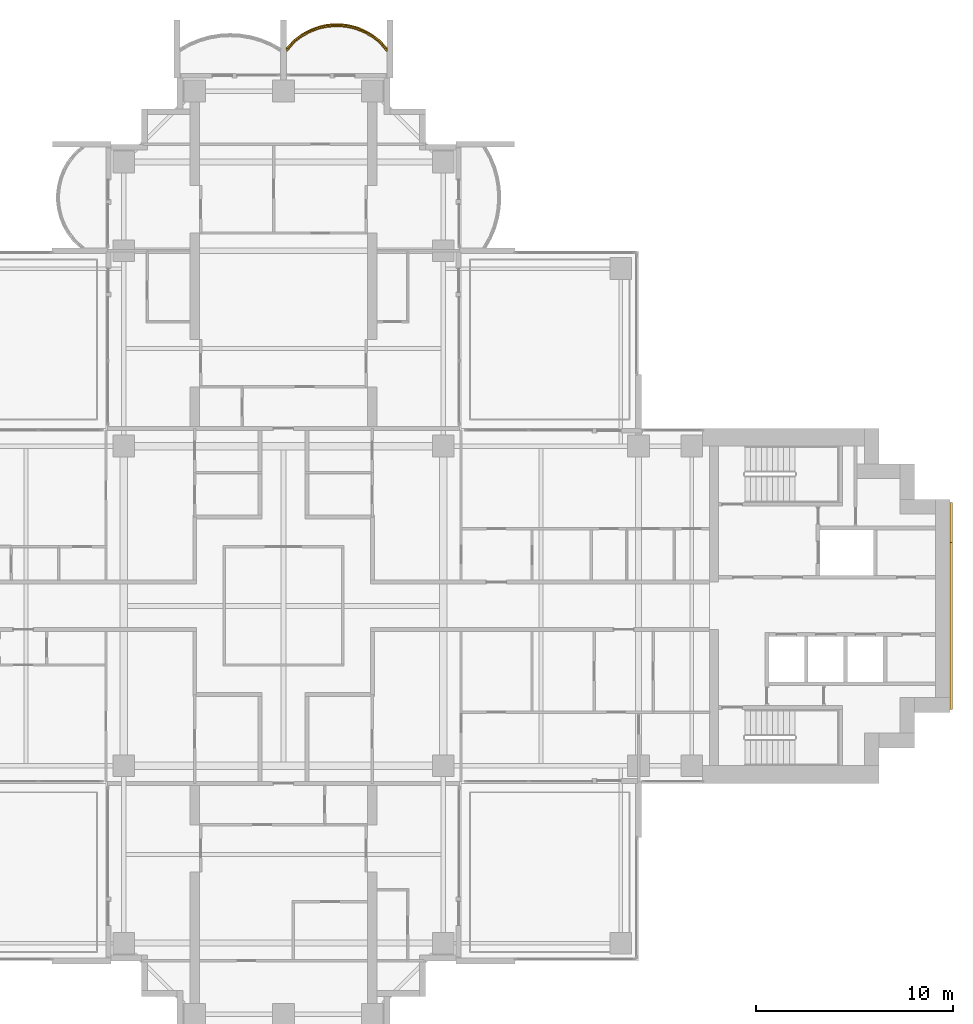
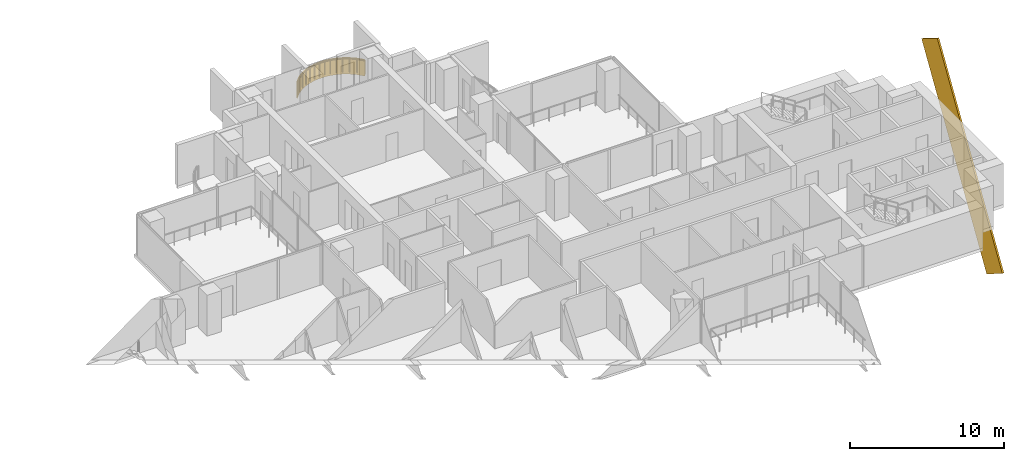
# One storey, part 19 of 19: 2 coverings, 1 railing.
"""IFC4 building model written with IfcOpenShell, lengths in metres."""

from ifc_helpers import new_model, si_unit, direction, frame, origin, origin_2d, place, context, subcontext, project, spatial, polyline, rectangle, outline, extrude, material, layer, layer_set, material_profile, profile_set, type_object, element, save


model = new_model("IFC4")

# Units and contexts
model_context = context("Model", 3, precision=1e-05, world=origin(), true_north=direction((0.0, 1.0)))
body_context = subcontext(model_context, "Body", "Model", "MODEL_VIEW")
ifc_project = project(units=[si_unit("LENGTHUNIT", "METRE"), si_unit("AREAUNIT", "SQUARE_METRE"), si_unit("VOLUMEUNIT", "CUBIC_METRE"), si_unit("PLANEANGLEUNIT", "RADIAN"), si_unit("MASSUNIT", "GRAM", prefix="KILO")], contexts=[model_context])

# Site, building, storey
site_placement = place(None, origin())
site = spatial("IfcSite", under=ifc_project, at=site_placement, CompositionType="ELEMENT")
building_placement = place(site_placement, origin())
building = spatial("IfcBuilding", under=site, at=building_placement, Name="Perihelion Cross Residences", CompositionType="ELEMENT")
storey_placement = place(building_placement, frame((0.0, 0.0, 109.39990234375)))
storey = spatial("IfcBuildingStorey", under=building, at=storey_placement, Name="L25", CompositionType="ELEMENT", Elevation=109.39990234375)

# Covering
ifc_material_1 = material(Name="Bronze anodised aluminium", Category="aluminium")
ifc_layer = layer(ifc_material_1, 0.070068359375)
ifc_layer_set = layer_set([ifc_layer], Name="Balcony fascia 1300")
covering_type_1 = type_object("IfcCoveringType", Name="Balcony fascia 1300", PredefinedType="CLADDING", material=ifc_layer_set)
covering_1_placement = place(storey_placement, frame((0.0, 0.0, -0.199951171875)))
element("IfcCovering", 1, at=covering_1_placement, inside=storey, type_object=covering_type_1, Name="Fascia BF1 L25 north tip north bay 1", PredefinedType="CLADDING", context=body_context, shape_type="SweptSolid", body=[
    extrude(outline(polyline([(4.90478515625, 28.674072265625), (4.50390625, 28.982666015625), (4.10302734375, 29.20654296875), (3.7021484375, 29.364013671875), (3.30126953125, 29.464599609375), (2.900390625, 29.513916015625), (2.49951171875, 29.513916015625), (2.0986328125, 29.464599609375), (1.69775390625, 29.364013671875), (1.296875, 29.20654296875), (0.89599609375, 28.982666015625), (0.4951171875, 28.674072265625), (0.14990234375, 28.302734375), (0.14990234375, 28.199951171875), (0.542236328125, 28.622314453125), (0.9345703125, 28.924072265625), (1.326904296875, 29.143310546875), (1.71923828125, 29.29736328125), (2.111572265625, 29.39599609375), (2.50390625, 29.444091796875), (2.896240234375, 29.444091796875), (3.28857421875, 29.39599609375), (3.6806640625, 29.29736328125), (4.072998046875, 29.143310546875), (4.46533203125, 28.924072265625), (4.857666015625, 28.622314453125), (5.25, 28.199951171875), (5.25, 28.302734375), (4.90478515625, 28.674072265625)])), origin(), (0.0, 0.0, 1.0), 1.300048828125),
])

# Railing
ifc_material_2 = material(Name="Bronze anodised aluminium", Category="aluminium")
railing_type = type_object("IfcRailingType", Name="Balcony guard 1100", PredefinedType="GUARDRAIL", material=ifc_material_2)
railing_placement = place(storey_placement, frame((5.22509765625, 28.139892578125, 0.0)))
element("IfcRailing", 2, at=railing_placement, inside=storey, type_object=railing_type, Name="Guard GU1 L25 north tip north bay 1 balcony", PredefinedType="GUARDRAIL", context=body_context, shape_type="SweptSolid", body=[
    extrude(rectangle(XDim=0.048095703125, YDim=0.048095703125, at=origin_2d()), frame((0.0, 0.0, 1.076171875), z_axis=(-0.656340655493, 0.754464673757, 0.0), x_axis=(-0.754464673757, -0.656340655493, 0.0)), (0.0, 0.0, 1.0), 0.559814453125),
    extrude(rectangle(XDim=0.048095703125, YDim=0.048095703125, at=origin_2d()), frame((-0.367431640625, 0.42236328125, 1.076171875), z_axis=(-0.792660660899, 0.60966308455, 0.0), x_axis=(-0.60966308455, -0.792660660899, 0.0)), (0.0, 0.0, 1.0), 0.494873046875),
    extrude(rectangle(XDim=0.048095703125, YDim=0.048095703125, at=origin_2d()), frame((-0.759765625, 0.72412109375, 1.076171875), z_axis=(-0.872950285698, 0.487809182674, 0.0), x_axis=(-0.487809182674, -0.872950285698, 0.0)), (0.0, 0.0, 1.0), 0.449462890625),
    extrude(rectangle(XDim=0.048095703125, YDim=0.048095703125, at=origin_2d()), frame((-1.152099609375, 0.943359375, 1.076171875), z_axis=(-0.930814842219, 0.365491079925, 0.0), x_axis=(-0.365491079925, -0.930814842219, 0.0)), (0.0, 0.0, 1.0), 0.42138671875),
    extrude(rectangle(XDim=0.048095703125, YDim=0.048095703125, at=origin_2d()), frame((-1.54443359375, 1.097412109375, 1.076171875), z_axis=(-0.969786252666, 0.243956193074, 0.0), x_axis=(-0.243956193074, -0.969786252666, 0.0)), (0.0, 0.0, 1.0), 0.404296875),
    extrude(rectangle(XDim=0.048095703125, YDim=0.048095703125, at=origin_2d()), frame((-1.9365234375, 1.196044921875, 1.076171875), z_axis=(-0.992569651699, 0.121677797999, 0.0), x_axis=(-0.121677797999, -0.992569651699, 0.0)), (0.0, 0.0, 1.0), 0.395263671875),
    extrude(rectangle(XDim=0.048095703125, YDim=0.048095703125, at=origin_2d()), frame((-2.328857421875, 1.244140625, 1.076171875), z_axis=(-1.0, 0.0, 0.0), x_axis=(0.0, -1.0, 0.0)), (0.0, 0.0, 1.0), 0.392333984375),
    extrude(rectangle(XDim=0.048095703125, YDim=0.048095703125, at=origin_2d()), frame((-2.72119140625, 1.244140625, 1.076171875), z_axis=(-0.992569651699, -0.121677797999, 0.0), x_axis=(0.121677797999, -0.992569651699, 0.0)), (0.0, 0.0, 1.0), 0.395263671875),
    extrude(rectangle(XDim=0.048095703125, YDim=0.048095703125, at=origin_2d()), frame((-3.113525390625, 1.196044921875, 1.076171875), z_axis=(-0.969822159145, -0.243813411509, 0.0), x_axis=(0.243813411509, -0.969822159145, 0.0)), (0.0, 0.0, 1.0), 0.404541015625),
    extrude(rectangle(XDim=0.048095703125, YDim=0.048095703125, at=origin_2d()), frame((-3.505859375, 1.097412109375, 1.076171875), z_axis=(-0.930814842219, -0.365491079925, 0.0), x_axis=(0.365491079925, -0.930814842219, 0.0)), (0.0, 0.0, 1.0), 0.42138671875),
    extrude(rectangle(XDim=0.048095703125, YDim=0.048095703125, at=origin_2d()), frame((-3.898193359375, 0.943359375, 1.076171875), z_axis=(-0.872950285698, -0.487809182674, 0.0), x_axis=(0.487809182674, -0.872950285698, 0.0)), (0.0, 0.0, 1.0), 0.449462890625),
    extrude(rectangle(XDim=0.048095703125, YDim=0.048095703125, at=origin_2d()), frame((-4.29052734375, 0.72412109375, 1.076171875), z_axis=(-0.792660660899, -0.60966308455, 0.0), x_axis=(0.60966308455, -0.792660660899, 0.0)), (0.0, 0.0, 1.0), 0.494873046875),
    extrude(rectangle(XDim=0.048095703125, YDim=0.048095703125, at=origin_2d()), frame((-4.682861328125, 0.42236328125, 1.076171875), z_axis=(-0.656092309534, -0.754680648599, 0.0), x_axis=(0.754680648599, -0.656092309534, 0.0)), (0.0, 0.0, 1.0), 0.5595703125),
    extrude(rectangle(XDim=0.0419921875, YDim=0.0419921875, at=origin_2d()), origin(), (0.0, 0.0, 1.0), 1.052001953125),
    extrude(rectangle(XDim=0.0419921875, YDim=0.0419921875, at=origin_2d()), frame((-0.367431640625, 0.42236328125, 0.0)), (0.0, 0.0, 1.0), 1.052001953125),
    extrude(rectangle(XDim=0.0419921875, YDim=0.0419921875, at=origin_2d()), frame((-0.759765625, 0.72412109375, 0.0)), (0.0, 0.0, 1.0), 1.052001953125),
    extrude(rectangle(XDim=0.0419921875, YDim=0.0419921875, at=origin_2d()), frame((-1.152099609375, 0.943359375, 0.0)), (0.0, 0.0, 1.0), 1.052001953125),
    extrude(rectangle(XDim=0.0419921875, YDim=0.0419921875, at=origin_2d()), frame((-1.54443359375, 1.097412109375, 0.0)), (0.0, 0.0, 1.0), 1.052001953125),
    extrude(rectangle(XDim=0.0419921875, YDim=0.0419921875, at=origin_2d()), frame((-1.9365234375, 1.196044921875, 0.0)), (0.0, 0.0, 1.0), 1.052001953125),
    extrude(rectangle(XDim=0.0419921875, YDim=0.0419921875, at=origin_2d()), frame((-2.328857421875, 1.244140625, 0.0)), (0.0, 0.0, 1.0), 1.052001953125),
    extrude(rectangle(XDim=0.0419921875, YDim=0.0419921875, at=origin_2d()), frame((-2.72119140625, 1.244140625, 0.0)), (0.0, 0.0, 1.0), 1.052001953125),
    extrude(rectangle(XDim=0.0419921875, YDim=0.0419921875, at=origin_2d()), frame((-3.113525390625, 1.196044921875, 0.0)), (0.0, 0.0, 1.0), 1.052001953125),
    extrude(rectangle(XDim=0.0419921875, YDim=0.0419921875, at=origin_2d()), frame((-3.505859375, 1.097412109375, 0.0)), (0.0, 0.0, 1.0), 1.052001953125),
    extrude(rectangle(XDim=0.0419921875, YDim=0.0419921875, at=origin_2d()), frame((-3.898193359375, 0.943359375, 0.0)), (0.0, 0.0, 1.0), 1.052001953125),
    extrude(rectangle(XDim=0.0419921875, YDim=0.0419921875, at=origin_2d()), frame((-4.29052734375, 0.72412109375, 0.0)), (0.0, 0.0, 1.0), 1.052001953125),
    extrude(rectangle(XDim=0.0419921875, YDim=0.0419921875, at=origin_2d()), frame((-4.682861328125, 0.42236328125, 0.0)), (0.0, 0.0, 1.0), 1.052001953125),
    extrude(rectangle(XDim=0.0419921875, YDim=0.0419921875, at=origin_2d()), frame((-5.050048828125, 0.0, 0.0)), (0.0, 0.0, 1.0), 1.052001953125),
])

# Covering
ifc_material_3 = material(Name="Bronze anodised aluminium", Category="aluminium")
ifc_material_profile = material_profile(ifc_material_3, rectangle(XDim=0.125, YDim=2.39990234375, at=origin_2d()), Name="Bronze cladding band 2400")
ifc_profile_set = profile_set([ifc_material_profile], Name="Bronze anodised aluminium")
covering_type_2 = type_object("IfcCoveringType", Name="Bronze cladding band 2400", PredefinedType="CLADDING", material=ifc_profile_set)
covering_2_placement = place(storey_placement, frame((33.862548828125, -4.232421875, -6.214111328125), z_axis=(0.0, 0.529924750763, 0.848044667767), x_axis=(-1.0, 0.0, 0.0)))
element("IfcCovering", 3, at=covering_2_placement, inside=storey, type_object=covering_type_2, Name="Core cladding band, east core", PredefinedType="CLADDING", context=body_context, shape_type="SweptSolid", body=[
    extrude(rectangle(XDim=0.125, YDim=2.39990234375, at=origin_2d()), origin(), (0.0, 0.0, 1.0), 15.9736328125),
])

save(model, "model.ifc")
